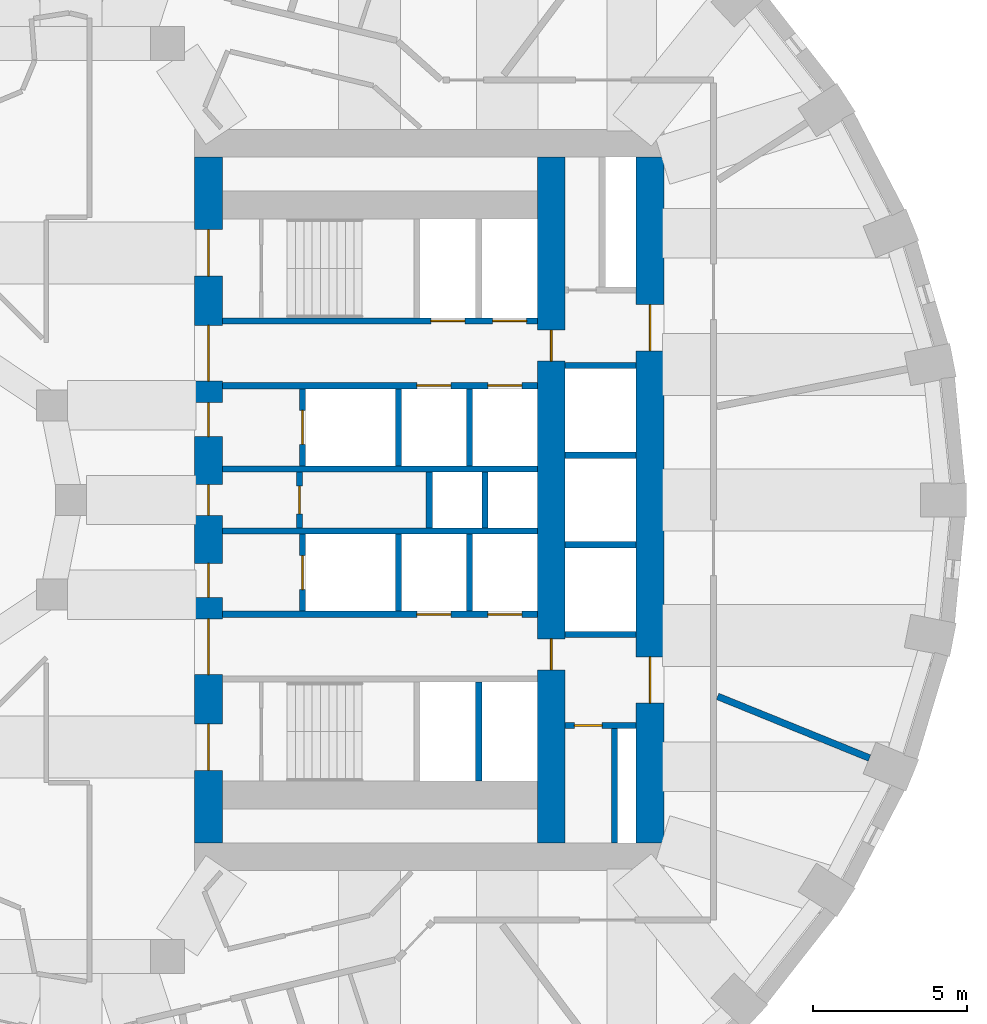
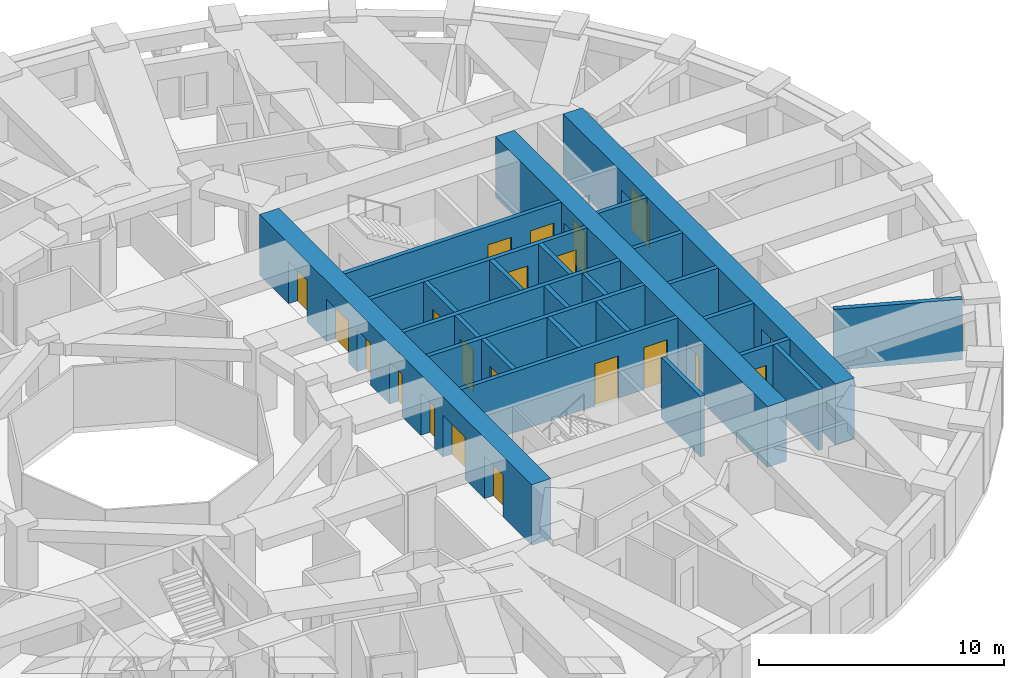
# One storey, part 6 of 14: 25 walls, 21 doors, 21 openings.
"""IFC4 building model written with IfcOpenShell, lengths in metres."""

import ifcopenshell
import ifcopenshell.guid

model = None  # the IFC model being written
_history = None  # IfcOwnerHistory: only IFC2X3 demands one
_inside = {}  # id of a spatial element -> (the spatial element, [elements in it])
_under = {}  # id of a project, library or spatial element -> (it, [spatial elements below it])
_declared = {}  # id of a project -> (the project, [libraries it declares])
_typed = {}  # id of a type object -> (the type object, [elements of that type])
_made_of = {}  # id of a material, layer set ... -> (it, [elements and type objects made of it])


def new_model(schema):
    """Start an empty IFC model of exactly this schema.

    Asked for "IFC4X3", IfcOpenShell would pick the latest addendum, in which some entities
    have other attributes; the version numbers below select the first issue.
    IFC2X3 requires an IfcOwnerHistory on every rooted entity: one is made here for all.
    """
    global model, _history
    if schema == "IFC4X3":
        model = ifcopenshell.file(schema_version=(4, 3, 0, 0))
    else:
        model = ifcopenshell.file(schema=schema)
    _inside.clear()
    _under.clear()
    _declared.clear()
    _typed.clear()
    _made_of.clear()
    _history = None
    if model.schema == "IFC2X3":
        org = make("IfcOrganization", Name="unknown")
        user = make(
            "IfcPersonAndOrganization",
            ThePerson=make("IfcPerson", FamilyName="unknown"),
            TheOrganization=org,
        )
        app = make(
            "IfcApplication",
            ApplicationDeveloper=org,
            Version="unknown",
            ApplicationFullName="unknown",
            ApplicationIdentifier="unknown",
        )
        _history = make(
            "IfcOwnerHistory",
            OwningUser=user,
            OwningApplication=app,
            ChangeAction="ADDED",
            CreationDate=0,
        )
    return model


def make(cls, **values):
    """One entity of the class cls with the attributes given. An attribute that is None is left unset."""
    return model.create_entity(
        cls, **{name: value for name, value in values.items() if value is not None}
    )


def rooted(cls, **values):
    """An entity with a GlobalId (a new one), such as an element, a storey or a relation."""
    return make(cls, GlobalId=ifcopenshell.guid.new(), OwnerHistory=_history, **values)


def si_unit(unit_type, name, prefix=None):
    """IfcSIUnit, for example si_unit("LENGTHUNIT", "METRE", prefix="MILLI")."""
    return make("IfcSIUnit", UnitType=unit_type, Prefix=prefix, Name=name)


def assignment(units):
    """IfcUnitAssignment: the units of a project."""
    return None if units is None else make("IfcUnitAssignment", Units=units)


def point(xyz):
    """IfcCartesianPoint."""
    return None if xyz is None else make("IfcCartesianPoint", Coordinates=xyz)


def direction(xyz):
    """IfcDirection."""
    return None if xyz is None else make("IfcDirection", DirectionRatios=xyz)


def frame(location, z_axis=None, x_axis=None):
    """IfcAxis2Placement3D, a coordinate frame: its origin and axes. An axis left out is left unset."""
    return make(
        "IfcAxis2Placement3D",
        Location=point(location),
        Axis=direction(z_axis),
        RefDirection=direction(x_axis),
    )


def frame_2d(location, x_axis=None):
    """IfcAxis2Placement2D, a coordinate frame in the plane: its origin and x axis."""
    return make(
        "IfcAxis2Placement2D", Location=point(location), RefDirection=direction(x_axis)
    )


def origin():
    """The frame at (0, 0, 0) with its axes left unset."""
    return frame((0.0, 0.0, 0.0))


def place(relative_to, where):
    """IfcLocalPlacement: puts the frame where relative to a parent placement (None: the world)."""
    return make(
        "IfcLocalPlacement", PlacementRelTo=relative_to, RelativePlacement=where
    )


def context(
    kind, dimensions, precision=None, world=None, true_north=None, identifier=None
):
    """IfcGeometricRepresentationContext, for example the 3D "Model" context."""
    return make(
        "IfcGeometricRepresentationContext",
        ContextIdentifier=identifier,
        ContextType=kind,
        CoordinateSpaceDimension=dimensions,
        Precision=precision,
        WorldCoordinateSystem=world,
        TrueNorth=true_north,
    )


def subcontext(parent, identifier, kind, view, scale=None):
    """IfcGeometricRepresentationSubContext, for example "Body" below "Model"."""
    return make(
        "IfcGeometricRepresentationSubContext",
        ContextIdentifier=identifier,
        ContextType=kind,
        ParentContext=parent,
        TargetScale=scale,
        TargetView=view,
    )


def project(units=None, contexts=None):
    """IfcProject with its units and contexts."""
    return rooted(
        "IfcProject",
        Name="project",
        RepresentationContexts=contexts,
        UnitsInContext=assignment(units),
    )


def spatial(cls, under=None, at=None, **own):
    """A site, building, storey or space (cls), placed at a placement, below another one or the project."""
    s = rooted(cls, ObjectPlacement=at, **own)
    if under is not None:
        _under.setdefault(under.id(), (under, []))[1].append(s)
    return s


def profile(cls, at=None, kind="AREA", **sizes):
    """A parametric profile (cls). Its sizes go by their IFC names, for example OverallWidth=200.0."""
    return make(cls, ProfileType=kind, Position=at, **sizes)


def rectangle(**sizes):
    """IfcRectangleProfileDef."""
    return profile("IfcRectangleProfileDef", **sizes)


def extrude(swept, where, along, depth):
    """IfcExtrudedAreaSolid: the profile swept, set in the frame where, extruded along a direction by depth."""
    return make(
        "IfcExtrudedAreaSolid",
        SweptArea=swept,
        Position=where,
        ExtrudedDirection=direction(along),
        Depth=depth,
    )


def shape(context_of_items, identifier, shape_type, items):
    """IfcShapeRepresentation: the items that make up one representation, for example the "Body"."""
    return make(
        "IfcShapeRepresentation",
        ContextOfItems=context_of_items,
        RepresentationIdentifier=identifier,
        RepresentationType=shape_type,
        Items=items,
    )


def material(Name=None, Category=None):
    """IfcMaterial."""
    return make("IfcMaterial", Name=Name, Category=Category)


def layer(
    of_material, thickness, ventilated=None, Name=None, Category=None, Priority=None
):
    """IfcMaterialLayer: one layer of a wall or slab, of a material (None: an air gap)."""
    return make(
        "IfcMaterialLayer",
        Material=of_material,
        LayerThickness=thickness,
        IsVentilated=ventilated,
        Name=Name,
        Category=Category,
        Priority=Priority,
    )


def layer_set(layers, Name=None):
    """IfcMaterialLayerSet."""
    return make("IfcMaterialLayerSet", MaterialLayers=layers, LayerSetName=Name)


def made_of(thing, what):
    """Note that an element or type object is made of a material, layer set ...; save() writes the relation."""
    if what is not None:
        _made_of.setdefault(what.id(), (what, []))[1].append(thing)
    return thing


def type_object(cls, material=None, **own):
    """A type object (cls), such as IfcWallType, which elements share."""
    return made_of(rooted(cls, **own), material)


def element(
    cls,
    number,
    at=None,
    inside=None,
    cuts=None,
    type_object=None,
    material=None,
    context=None,
    identifier="Body",
    shape_type=None,
    held_by="IfcProductDefinitionShape",
    body=None,
    shapes=None,
    **own,
):
    """One element of the class cls, such as IfcWall. Its Tag is "e" and its number.

    at: its placement. inside: the storey or other place that contains it. cuts: it is an
    opening in that element (IfcRelVoidsElement). A single representation is given by context,
    identifier, shape_type and body (its items); several are given by shapes. held_by: the class
    of the entity that holds the representations. save() writes the other relations.
    """
    e = rooted(cls, Tag="e%d" % number, ObjectPlacement=at, **own)
    if body is not None:
        shapes = [shape(context, identifier, shape_type, body)]
    if shapes is not None:
        e.Representation = make(held_by, Representations=shapes)
    if inside is not None:
        _inside.setdefault(inside.id(), (inside, []))[1].append(e)
    if cuts is not None:
        rooted(
            "IfcRelVoidsElement", RelatingBuildingElement=cuts, RelatedOpeningElement=e
        )
    if type_object is not None:
        _typed.setdefault(type_object.id(), (type_object, []))[1].append(e)
    return made_of(e, material)


def fill(opening, filler):
    """IfcRelFillsElement: the door or window that sits in an opening."""
    return rooted(
        "IfcRelFillsElement",
        RelatingOpeningElement=opening,
        RelatedBuildingElement=filler,
    )


def aggregate(whole, parts):
    """IfcRelAggregates: a whole, such as a stair, and the parts it consists of."""
    return rooted("IfcRelAggregates", RelatingObject=whole, RelatedObjects=parts)


def save(model, path):
    """Write the relations noted so far, then the file.

    IfcRelAggregates (storeys below a building ...), IfcRelContainedInSpatialStructure (elements
    in a storey), IfcRelDefinesByType, IfcRelAssociatesMaterial and IfcRelDeclares: one each for
    every whole, place, type object, material and project.
    """
    for whole, parts in _under.values():
        aggregate(whole, parts)
    for where, things in _inside.values():
        rooted(
            "IfcRelContainedInSpatialStructure",
            RelatedElements=things,
            RelatingStructure=where,
        )
    for kind, things in _typed.values():
        rooted("IfcRelDefinesByType", RelatedObjects=things, RelatingType=kind)
    for what, things in _made_of.values():
        rooted("IfcRelAssociatesMaterial", RelatedObjects=things, RelatingMaterial=what)
    for by, libraries in _declared.values():
        rooted("IfcRelDeclares", RelatingContext=by, RelatedDefinitions=libraries)
    model.write(path)


model = new_model("IFC4")

# Units and contexts
model_context = context("Model", 3, precision=1e-05, world=origin(), true_north=direction((0.0, 1.0)))
body_context = subcontext(model_context, "Body", "Model", "MODEL_VIEW")
ifc_project = project(units=[si_unit("LENGTHUNIT", "METRE"), si_unit("AREAUNIT", "SQUARE_METRE"), si_unit("VOLUMEUNIT", "CUBIC_METRE"), si_unit("PLANEANGLEUNIT", "RADIAN"), si_unit("MASSUNIT", "GRAM", prefix="KILO")], contexts=[model_context])

# Site, building, storey
site_placement = place(None, origin())
site = spatial("IfcSite", under=ifc_project, at=site_placement, CompositionType="ELEMENT")
building_placement = place(site_placement, origin())
building = spatial("IfcBuilding", under=site, at=building_placement, Name="Taillehof Tower", CompositionType="ELEMENT")
storey_placement = place(building_placement, frame((0.0, 0.0, 21.699951171875)))
storey = spatial("IfcBuildingStorey", under=building, at=storey_placement, Name="L04", CompositionType="ELEMENT", Elevation=21.699951171875)

# Wall, opening, door
ifc_material_1 = material(Name="Calcium silicate masonry", Category="masonry")
ifc_layer_1 = layer(ifc_material_1, 0.199951171875)
ifc_layer_set_1 = layer_set([ifc_layer_1], Name="Compartment wall calcium silicate 200")
wall_type_1 = type_object("IfcWallType", Name="Compartment wall calcium silicate 200", PredefinedType="PARTITIONING", material=ifc_layer_set_1)
wall_1_placement = place(storey_placement, frame((7.39990234375, -0.89990234375, 0.0), z_axis=(0.0, 0.0, 1.0), x_axis=(0.0, 1.0, 0.0)))
wall_1 = element("IfcWall", 1, at=wall_1_placement, inside=storey, type_object=wall_type_1, Name="Compartment wall FW", PredefinedType="PARTITIONING", context=body_context, shape_type="SweptSolid", body=[
    extrude(rectangle(XDim=1.7998046875, YDim=0.199951171875, at=frame_2d((0.89990234375, 0.0))), origin(), (0.0, 0.0, 1.0), 3.02001953125),
])
opening_1_placement = place(wall_1_placement, frame((0.449951171875, 0.0, 0.0)))
opening_1 = element("IfcOpeningElement", 2, at=opening_1_placement, cuts=wall_1, Name="Opening D0414", PredefinedType="OPENING", context=body_context, shape_type="SweptSolid", body=[
    extrude(rectangle(XDim=0.89990234375, YDim=2.10009765625, at=frame_2d((0.449951171875, 1.050048828125))), frame((0.0, 0.10986328125, 0.0), z_axis=(0.0, -1.0, 0.0), x_axis=(1.0, 0.0, 0.0)), (0.0, 0.0, 1.0), 0.219970703125),
])
ifc_material_2 = material(Name="Steel-faced fire door", Category="steel")
door_type_1 = type_object("IfcDoorType", Name="Riser and service room door 900x2100", OperationType="SINGLE_SWING_LEFT", PredefinedType="DOOR", material=ifc_material_2)
door_1_placement = place(opening_1_placement, origin())
door_1 = element("IfcDoor", 3, at=door_1_placement, inside=storey, type_object=door_type_1, Name="Door Fire Safety Store", OperationType="SINGLE_SWING_RIGHT", OverallHeight=2.10009765625, OverallWidth=0.89990234375, PredefinedType="DOOR", context=body_context, shape_type="SweptSolid", body=[
    extrude(rectangle(XDim=0.89990234375, YDim=2.10009765625, at=frame_2d((0.449951171875, 1.050048828125))), frame((0.0, 0.02490234375, 0.0), z_axis=(0.0, -1.0, 0.0), x_axis=(1.0, 0.0, 0.0)), (0.0, 0.0, 1.0), 0.050048828125),
])
fill(opening_1, door_1)

# Walls
for number, where, z_axis, x_axis, name in (
    (4, (11.60009765625, -0.89990234375, 0.0), (0.0, 0.0, 1.0), (0.0, 1.0, 0.0), "Compartment wall FW"),
    (5, (13.39990234375, -0.89990234375, 0.0), (0.0, 0.0, 1.0), (0.0, 1.0, 0.0), "Compartment wall FW"),
):
    element("IfcWall", number, at=place(storey_placement, frame(where, z_axis=z_axis, x_axis=x_axis)), inside=storey, type_object=wall_type_1, Name=name, PredefinedType="PARTITIONING", context=body_context, shape_type="SweptSolid", body=[
        extrude(rectangle(XDim=1.7998046875, YDim=0.199951171875, at=frame_2d((0.89990234375, 0.0))), origin(), (0.0, 0.0, 1.0), 3.02001953125),
    ])

# Wall, opening, door
wall_2_placement = place(storey_placement, frame((16.0, -7.300048828125, 0.0), z_axis=(0.0, 0.0, 1.0), x_axis=(1.0, 0.0, 0.0)))
wall_2 = element("IfcWall", 6, at=wall_2_placement, inside=storey, type_object=wall_type_1, Name="Compartment wall FW", PredefinedType="PARTITIONING", context=body_context, shape_type="SweptSolid", body=[
    extrude(rectangle(XDim=2.300048828125, YDim=0.199951171875, at=frame_2d((1.14990234375, 0.0))), origin(), (0.0, 0.0, 1.0), 3.02001953125),
])
opening_2_placement = place(wall_2_placement, frame((0.300048828125, 0.0, 0.0)))
opening_2 = element("IfcOpeningElement", 7, at=opening_2_placement, cuts=wall_2, Name="Opening D0418", PredefinedType="OPENING", context=body_context, shape_type="SweptSolid", body=[
    extrude(rectangle(XDim=0.89990234375, YDim=2.10009765625, at=frame_2d((0.449951171875, 1.050048828125))), frame((0.0, 0.10986328125, 0.0), z_axis=(0.0, -1.0, 0.0), x_axis=(1.0, 0.0, 0.0)), (0.0, 0.0, 1.0), 0.219970703125),
])
door_2_placement = place(opening_2_placement, origin())
door_2 = element("IfcDoor", 8, at=door_2_placement, inside=storey, type_object=door_type_1, Name="Door Housekeeping Store", OperationType="SINGLE_SWING_LEFT", OverallHeight=2.10009765625, OverallWidth=0.89990234375, PredefinedType="DOOR", context=body_context, shape_type="SweptSolid", body=[
    extrude(rectangle(XDim=0.89990234375, YDim=2.10009765625, at=frame_2d((0.449951171875, 1.050048828125))), frame((0.0, 0.02490234375, 0.0), z_axis=(0.0, -1.0, 0.0), x_axis=(1.0, 0.0, 0.0)), (0.0, 0.0, 1.0), 0.050048828125),
])
fill(opening_2, door_2)

# Walls
wall_3_placement = place(storey_placement, frame((17.60009765625, -11.10009765625, 0.0), z_axis=(0.0, 0.0, 1.0), x_axis=(0.0, 1.0, 0.0)))
element("IfcWall", 9, at=wall_3_placement, inside=storey, type_object=wall_type_1, Name="Compartment wall FW", PredefinedType="PARTITIONING", context=body_context, shape_type="SweptSolid", body=[
    extrude(rectangle(XDim=3.7001953125, YDim=0.199951171875, at=frame_2d((1.85009765625, 0.0))), origin(), (0.0, 0.0, 1.0), 3.02001953125),
])
ifc_material_3 = material(Name="Gypsum board on double steel studs with mineral wool", Category="steel")
ifc_layer_2 = layer(ifc_material_3, 0.219970703125)
ifc_layer_set_2 = layer_set([ifc_layer_2], Name="Compartment wall guest room 220")
wall_type_2 = type_object("IfcWallType", Name="Compartment wall guest room 220", PredefinedType="PARTITIONING", material=ifc_layer_set_2)
wall_4_placement = place(storey_placement, frame((25.851318359375, -8.35400390625, 0.0), z_axis=(0.0, 0.0, 1.0), x_axis=(-0.926546814299, 0.376179479653, 0.0)))
element("IfcWall", 10, at=wall_4_placement, inside=storey, type_object=wall_type_2, Name="Compartment wall", PredefinedType="PARTITIONING", context=body_context, shape_type="SweptSolid", body=[
    extrude(rectangle(XDim=5.3037109375, YDim=0.219970703125, at=frame_2d((2.65185546875, 0.0))), origin(), (0.0, 0.0, 1.0), 3.02001953125),
])

# Wall, openings, doors
ifc_material_4 = material(Name="Concrete C80/95", Category="concrete")
ifc_layer_3 = layer(ifc_material_4, 0.89990234375)
ifc_layer_set_3 = layer_set([ifc_layer_3], Name="Core wall C80/95 900")
wall_type_3 = type_object("IfcWallType", Name="Core wall C80/95 900", PredefinedType="SHEAR", material=ifc_layer_set_3)
wall_5_placement = place(storey_placement, frame((4.449951171875, -11.10009765625, 0.0), z_axis=(0.0, 0.0, 1.0), x_axis=(0.0, 1.0, 0.0)))
wall_5 = element("IfcWall", 11, at=wall_5_placement, inside=storey, type_object=wall_type_3, Name="Core wall CW01", PredefinedType="SHEAR", context=body_context, shape_type="SweptSolid", body=[
    extrude(rectangle(XDim=22.2001953125, YDim=0.89990234375, at=frame_2d((11.10009765625, 0.0))), origin(), (0.0, 0.0, 1.0), 3.02001953125),
])
opening_3_placement = place(wall_5_placement, frame((2.35009765625, 0.0, 0.0)))
opening_3 = element("IfcOpeningElement", 12, at=opening_3_placement, cuts=wall_5, Name="Opening D0401", PredefinedType="OPENING", context=body_context, shape_type="SweptSolid", body=[
    extrude(rectangle(XDim=1.5, YDim=2.10009765625, at=frame_2d((0.75, 1.050048828125))), frame((0.0, 0.4599609375, 0.0), z_axis=(0.0, -1.0, 0.0), x_axis=(1.0, 0.0, 0.0)), (0.0, 0.0, 1.0), 0.919921875),
])
opening_4_placement = place(wall_5_placement, frame((5.449951171875, 0.0, 0.0)))
opening_4 = element("IfcOpeningElement", 13, at=opening_4_placement, cuts=wall_5, Name="Opening D0402", PredefinedType="OPENING", context=body_context, shape_type="SweptSolid", body=[
    extrude(rectangle(XDim=1.800048828125, YDim=2.10009765625, at=frame_2d((0.89990234375, 1.050048828125))), frame((0.0, 0.4599609375, 0.0), z_axis=(0.0, -1.0, 0.0), x_axis=(1.0, 0.0, 0.0)), (0.0, 0.0, 1.0), 0.919921875),
])
opening_5_placement = place(wall_5_placement, frame((7.949951171875, 0.0, 0.0)))
opening_5 = element("IfcOpeningElement", 14, at=opening_5_placement, cuts=wall_5, Name="Opening D0403", PredefinedType="OPENING", context=body_context, shape_type="SweptSolid", body=[
    extrude(rectangle(XDim=1.10009765625, YDim=2.10009765625, at=frame_2d((0.550048828125, 1.050048828125))), frame((0.0, 0.4599609375, 0.0), z_axis=(0.0, -1.0, 0.0), x_axis=(1.0, 0.0, 0.0)), (0.0, 0.0, 1.0), 0.919921875),
])
opening_6_placement = place(wall_5_placement, frame((10.60009765625, 0.0, 0.0)))
opening_6 = element("IfcOpeningElement", 15, at=opening_6_placement, cuts=wall_5, Name="Opening D0404", PredefinedType="OPENING", context=body_context, shape_type="SweptSolid", body=[
    extrude(rectangle(XDim=1.0, YDim=2.10009765625, at=frame_2d((0.5, 1.050048828125))), frame((0.0, 0.4599609375, 0.0), z_axis=(0.0, -1.0, 0.0), x_axis=(1.0, 0.0, 0.0)), (0.0, 0.0, 1.0), 0.919921875),
])
opening_7_placement = place(wall_5_placement, frame((13.14990234375, 0.0, 0.0)))
opening_7 = element("IfcOpeningElement", 16, at=opening_7_placement, cuts=wall_5, Name="Opening D0405", PredefinedType="OPENING", context=body_context, shape_type="SweptSolid", body=[
    extrude(rectangle(XDim=1.10009765625, YDim=2.10009765625, at=frame_2d((0.550048828125, 1.050048828125))), frame((0.0, 0.4599609375, 0.0), z_axis=(0.0, -1.0, 0.0), x_axis=(1.0, 0.0, 0.0)), (0.0, 0.0, 1.0), 0.919921875),
])
opening_8_placement = place(wall_5_placement, frame((14.949951171875, 0.0, 0.0)))
opening_8 = element("IfcOpeningElement", 17, at=opening_8_placement, cuts=wall_5, Name="Opening D0406", PredefinedType="OPENING", context=body_context, shape_type="SweptSolid", body=[
    extrude(rectangle(XDim=1.800048828125, YDim=2.10009765625, at=frame_2d((0.89990234375, 1.050048828125))), frame((0.0, 0.4599609375, 0.0), z_axis=(0.0, -1.0, 0.0), x_axis=(1.0, 0.0, 0.0)), (0.0, 0.0, 1.0), 0.919921875),
])
opening_9_placement = place(wall_5_placement, frame((18.35009765625, 0.0, 0.0)))
opening_9 = element("IfcOpeningElement", 18, at=opening_9_placement, cuts=wall_5, Name="Opening D0407", PredefinedType="OPENING", context=body_context, shape_type="SweptSolid", body=[
    extrude(rectangle(XDim=1.5, YDim=2.10009765625, at=frame_2d((0.75, 1.050048828125))), frame((0.0, 0.4599609375, 0.0), z_axis=(0.0, -1.0, 0.0), x_axis=(1.0, 0.0, 0.0)), (0.0, 0.0, 1.0), 0.919921875),
])
ifc_material_5 = material(Name="Steel-faced fire door", Category="steel")
door_type_2 = type_object("IfcDoorType", Name="Firefighting lobby door 1100x2100", OperationType="SINGLE_SWING_RIGHT", PredefinedType="DOOR", material=ifc_material_5)
door_3_placement = place(opening_5_placement, origin())
door_3 = element("IfcDoor", 19, at=door_3_placement, inside=storey, type_object=door_type_2, Name="Firefighting lobby door FFL-S", OperationType="SINGLE_SWING_RIGHT", OverallHeight=2.10009765625, OverallWidth=1.10009765625, PredefinedType="DOOR", context=body_context, shape_type="SweptSolid", body=[
    extrude(rectangle(XDim=1.10009765625, YDim=2.10009765625, at=frame_2d((0.550048828125, 1.050048828125))), frame((0.0, 0.02490234375, 0.0), z_axis=(0.0, -1.0, 0.0), x_axis=(1.0, 0.0, 0.0)), (0.0, 0.0, 1.0), 0.050048828125),
])
fill(opening_5, door_3)
door_4_placement = place(opening_7_placement, origin())
door_4 = element("IfcDoor", 20, at=door_4_placement, inside=storey, type_object=door_type_2, Name="Firefighting lobby door FFL-N", OperationType="SINGLE_SWING_LEFT", OverallHeight=2.10009765625, OverallWidth=1.10009765625, PredefinedType="DOOR", context=body_context, shape_type="SweptSolid", body=[
    extrude(rectangle(XDim=1.10009765625, YDim=2.10009765625, at=frame_2d((0.550048828125, 1.050048828125))), frame((0.0, 0.02490234375, 0.0), z_axis=(0.0, -1.0, 0.0), x_axis=(1.0, 0.0, 0.0)), (0.0, 0.0, 1.0), 0.050048828125),
])
fill(opening_7, door_4)
ifc_material_6 = material(Name="Steel-faced fire door", Category="steel")
door_type_3 = type_object("IfcDoorType", Name="Lift lobby door 1800x2100", OperationType="DOUBLE_DOOR_SINGLE_SWING", PredefinedType="DOOR", material=ifc_material_6)
door_5_placement = place(opening_4_placement, origin())
door_5 = element("IfcDoor", 21, at=door_5_placement, inside=storey, type_object=door_type_3, Name="Lift lobby door LL-S", OperationType="DOUBLE_DOOR_SINGLE_SWING", OverallHeight=2.10009765625, OverallWidth=1.800048828125, PredefinedType="DOOR", context=body_context, shape_type="SweptSolid", body=[
    extrude(rectangle(XDim=1.800048828125, YDim=2.10009765625, at=frame_2d((0.89990234375, 1.050048828125))), frame((0.0, 0.02490234375, 0.0), z_axis=(0.0, -1.0, 0.0), x_axis=(1.0, 0.0, 0.0)), (0.0, 0.0, 1.0), 0.050048828125),
])
fill(opening_4, door_5)
door_6_placement = place(opening_8_placement, origin())
door_6 = element("IfcDoor", 22, at=door_6_placement, inside=storey, type_object=door_type_3, Name="Lift lobby door LL-N", OperationType="DOUBLE_DOOR_SINGLE_SWING", OverallHeight=2.10009765625, OverallWidth=1.800048828125, PredefinedType="DOOR", context=body_context, shape_type="SweptSolid", body=[
    extrude(rectangle(XDim=1.800048828125, YDim=2.10009765625, at=frame_2d((0.89990234375, 1.050048828125))), frame((0.0, 0.02490234375, 0.0), z_axis=(0.0, -1.0, 0.0), x_axis=(1.0, 0.0, 0.0)), (0.0, 0.0, 1.0), 0.050048828125),
])
fill(opening_8, door_6)
ifc_material_7 = material(Name="Steel-faced fire door", Category="steel")
door_type_4 = type_object("IfcDoorType", Name="Service door 1000x2100", OperationType="SINGLE_SWING_RIGHT", PredefinedType="DOOR", material=ifc_material_7)
door_7_placement = place(opening_6_placement, origin())
door_7 = element("IfcDoor", 23, at=door_7_placement, inside=storey, type_object=door_type_4, Name="Service door SV", OperationType="SINGLE_SWING_RIGHT", OverallHeight=2.10009765625, OverallWidth=1.0, PredefinedType="DOOR", context=body_context, shape_type="SweptSolid", body=[
    extrude(rectangle(XDim=1.0, YDim=2.10009765625, at=frame_2d((0.5, 1.050048828125))), frame((0.0, 0.02490234375, 0.0), z_axis=(0.0, -1.0, 0.0), x_axis=(1.0, 0.0, 0.0)), (0.0, 0.0, 1.0), 0.050048828125),
])
fill(opening_6, door_7)
ifc_material_8 = material(Name="Steel-faced fire door", Category="steel")
door_type_5 = type_object("IfcDoorType", Name="Stair door 1500x2100", OperationType="DOUBLE_DOOR_SINGLE_SWING", PredefinedType="DOOR", material=ifc_material_8)
door_8_placement = place(opening_3_placement, origin())
door_8 = element("IfcDoor", 24, at=door_8_placement, inside=storey, type_object=door_type_5, Name="Stair door S2", OperationType="DOUBLE_DOOR_SINGLE_SWING", OverallHeight=2.10009765625, OverallWidth=1.5, PredefinedType="DOOR", context=body_context, shape_type="SweptSolid", body=[
    extrude(rectangle(XDim=1.5, YDim=2.10009765625, at=frame_2d((0.75, 1.050048828125))), frame((0.0, 0.02490234375, 0.0), z_axis=(0.0, -1.0, 0.0), x_axis=(1.0, 0.0, 0.0)), (0.0, 0.0, 1.0), 0.050048828125),
])
fill(opening_3, door_8)
door_9_placement = place(opening_9_placement, origin())
door_9 = element("IfcDoor", 25, at=door_9_placement, inside=storey, type_object=door_type_5, Name="Stair door S1", OperationType="DOUBLE_DOOR_SINGLE_SWING", OverallHeight=2.10009765625, OverallWidth=1.5, PredefinedType="DOOR", context=body_context, shape_type="SweptSolid", body=[
    extrude(rectangle(XDim=1.5, YDim=2.10009765625, at=frame_2d((0.75, 1.050048828125))), frame((0.0, 0.02490234375, 0.0), z_axis=(0.0, -1.0, 0.0), x_axis=(1.0, 0.0, 0.0)), (0.0, 0.0, 1.0), 0.050048828125),
])
fill(opening_9, door_9)

wall_6_placement = place(storey_placement, frame((18.75, -11.10009765625, 0.0), z_axis=(0.0, 0.0, 1.0), x_axis=(0.0, 1.0, 0.0)))
wall_6 = element("IfcWall", 26, at=wall_6_placement, inside=storey, type_object=wall_type_3, Name="Core wall CW02", PredefinedType="SHEAR", context=body_context, shape_type="SweptSolid", body=[
    extrude(rectangle(XDim=22.2001953125, YDim=0.89990234375, at=frame_2d((11.10009765625, 0.0))), origin(), (0.0, 0.0, 1.0), 3.02001953125),
])
opening_10_placement = place(wall_6_placement, frame((15.925048828125, 0.0, 0.0)))
opening_10 = element("IfcOpeningElement", 27, at=opening_10_placement, cuts=wall_6, Name="Opening D0408", PredefinedType="OPENING", context=body_context, shape_type="SweptSolid", body=[
    extrude(rectangle(XDim=1.5, YDim=2.10009765625, at=frame_2d((0.75, 1.050048828125))), frame((0.0, 0.4599609375, 0.0), z_axis=(0.0, -1.0, 0.0), x_axis=(1.0, 0.0, 0.0)), (0.0, 0.0, 1.0), 0.919921875),
])
opening_11_placement = place(wall_6_placement, frame((4.52490234375, 0.0, 0.0)))
opening_11 = element("IfcOpeningElement", 28, at=opening_11_placement, cuts=wall_6, Name="Opening D0409", PredefinedType="OPENING", context=body_context, shape_type="SweptSolid", body=[
    extrude(rectangle(XDim=1.5, YDim=2.10009765625, at=frame_2d((0.75, 1.050048828125))), frame((0.0, 0.4599609375, 0.0), z_axis=(0.0, -1.0, 0.0), x_axis=(1.0, 0.0, 0.0)), (0.0, 0.0, 1.0), 0.919921875),
])
ifc_material_9 = material(Name="Steel-faced fire door", Category="steel")
door_type_6 = type_object("IfcDoorType", Name="Lift lobby east door 1500x2100", OperationType="DOUBLE_DOOR_SINGLE_SWING", PredefinedType="DOOR", material=ifc_material_9)
door_10_placement = place(opening_10_placement, origin())
door_10 = element("IfcDoor", 29, at=door_10_placement, inside=storey, type_object=door_type_6, Name="Lift lobby east door north", OperationType="DOUBLE_DOOR_SINGLE_SWING", OverallHeight=2.10009765625, OverallWidth=1.5, PredefinedType="DOOR", context=body_context, shape_type="SweptSolid", body=[
    extrude(rectangle(XDim=1.5, YDim=2.10009765625, at=frame_2d((0.75, 1.050048828125))), frame((0.0, 0.02490234375, 0.0), z_axis=(0.0, -1.0, 0.0), x_axis=(1.0, 0.0, 0.0)), (0.0, 0.0, 1.0), 0.050048828125),
])
fill(opening_10, door_10)
door_11_placement = place(opening_11_placement, origin())
door_11 = element("IfcDoor", 30, at=door_11_placement, inside=storey, type_object=door_type_6, Name="Lift lobby east door south", OperationType="DOUBLE_DOOR_SINGLE_SWING", OverallHeight=2.10009765625, OverallWidth=1.5, PredefinedType="DOOR", context=body_context, shape_type="SweptSolid", body=[
    extrude(rectangle(XDim=1.5, YDim=2.10009765625, at=frame_2d((0.75, 1.050048828125))), frame((0.0, 0.02490234375, 0.0), z_axis=(0.0, -1.0, 0.0), x_axis=(1.0, 0.0, 0.0)), (0.0, 0.0, 1.0), 0.050048828125),
])
fill(opening_11, door_11)

wall_7_placement = place(storey_placement, frame((15.550048828125, -11.10009765625, 0.0), z_axis=(0.0, 0.0, 1.0), x_axis=(0.0, 1.0, 0.0)))
wall_7 = element("IfcWall", 31, at=wall_7_placement, inside=storey, type_object=wall_type_3, Name="Core wall CW05", PredefinedType="SHEAR", context=body_context, shape_type="SweptSolid", body=[
    extrude(rectangle(XDim=22.2001953125, YDim=0.89990234375, at=frame_2d((11.10009765625, 0.0))), origin(), (0.0, 0.0, 1.0), 3.02001953125),
])
opening_12_placement = place(wall_7_placement, frame((15.60009765625, 0.0, 0.0)))
opening_12 = element("IfcOpeningElement", 32, at=opening_12_placement, cuts=wall_7, Name="Opening D0415", PredefinedType="OPENING", context=body_context, shape_type="SweptSolid", body=[
    extrude(rectangle(XDim=1.0, YDim=2.10009765625, at=frame_2d((0.5, 1.050048828125))), frame((0.0, 0.4599609375, 0.0), z_axis=(0.0, -1.0, 0.0), x_axis=(1.0, 0.0, 0.0)), (0.0, 0.0, 1.0), 0.919921875),
])
opening_13_placement = place(wall_7_placement, frame((5.60009765625, 0.0, 0.0)))
opening_13 = element("IfcOpeningElement", 33, at=opening_13_placement, cuts=wall_7, Name="Opening D0417", PredefinedType="OPENING", context=body_context, shape_type="SweptSolid", body=[
    extrude(rectangle(XDim=1.0, YDim=2.10009765625, at=frame_2d((0.5, 1.050048828125))), frame((0.0, 0.4599609375, 0.0), z_axis=(0.0, -1.0, 0.0), x_axis=(1.0, 0.0, 0.0)), (0.0, 0.0, 1.0), 0.919921875),
])
door_12_placement = place(opening_12_placement, origin())
door_12 = element("IfcDoor", 34, at=door_12_placement, inside=storey, type_object=door_type_4, Name="Service door strip", OperationType="SINGLE_SWING_RIGHT", OverallHeight=2.10009765625, OverallWidth=1.0, PredefinedType="DOOR", context=body_context, shape_type="SweptSolid", body=[
    extrude(rectangle(XDim=1.0, YDim=2.10009765625, at=frame_2d((0.5, 1.050048828125))), frame((0.0, 0.02490234375, 0.0), z_axis=(0.0, -1.0, 0.0), x_axis=(1.0, 0.0, 0.0)), (0.0, 0.0, 1.0), 0.050048828125),
])
fill(opening_12, door_12)
door_13_placement = place(opening_13_placement, origin())
door_13 = element("IfcDoor", 35, at=door_13_placement, inside=storey, type_object=door_type_4, Name="Service door strip", OperationType="SINGLE_SWING_LEFT", OverallHeight=2.10009765625, OverallWidth=1.0, PredefinedType="DOOR", context=body_context, shape_type="SweptSolid", body=[
    extrude(rectangle(XDim=1.0, YDim=2.10009765625, at=frame_2d((0.5, 1.050048828125))), frame((0.0, 0.02490234375, 0.0), z_axis=(0.0, -1.0, 0.0), x_axis=(1.0, 0.0, 0.0)), (0.0, 0.0, 1.0), 0.050048828125),
])
fill(opening_13, door_13)

ifc_material_10 = material(Name="Concrete C50/60", Category="concrete")
ifc_layer_4 = layer(ifc_material_10, 0.199951171875)
ifc_layer_set_4 = layer_set([ifc_layer_4], Name="Shaft wall C50/60 200")
wall_type_4 = type_object("IfcWallType", Name="Shaft wall C50/60 200", PredefinedType="SHEAR", material=ifc_layer_set_4)
wall_8_placement = place(storey_placement, frame((4.89990234375, 5.800048828125, 0.0), z_axis=(0.0, 0.0, 1.0), x_axis=(1.0, 0.0, 0.0)))
wall_8 = element("IfcWall", 36, at=wall_8_placement, inside=storey, type_object=wall_type_4, Name="Shaft wall SW", PredefinedType="SHEAR", context=body_context, shape_type="SweptSolid", body=[
    extrude(rectangle(XDim=10.2001953125, YDim=0.199951171875, at=frame_2d((5.10009765625, 0.0))), origin(), (0.0, 0.0, 1.0), 3.02001953125),
])
opening_14_placement = place(wall_8_placement, frame((6.75, 0.0, 0.0)))
opening_14 = element("IfcOpeningElement", 37, at=opening_14_placement, cuts=wall_8, Name="Opening LD1", PredefinedType="OPENING", context=body_context, shape_type="SweptSolid", body=[
    extrude(rectangle(XDim=1.10009765625, YDim=2.10009765625, at=frame_2d((0.550048828125, 1.050048828125))), frame((0.0, 0.10986328125, 0.0), z_axis=(0.0, -1.0, 0.0), x_axis=(1.0, 0.0, 0.0)), (0.0, 0.0, 1.0), 0.219970703125),
])
opening_15_placement = place(wall_8_placement, frame((8.75, 0.0, 0.0)))
opening_15 = element("IfcOpeningElement", 38, at=opening_15_placement, cuts=wall_8, Name="Opening LD1", PredefinedType="OPENING", context=body_context, shape_type="SweptSolid", body=[
    extrude(rectangle(XDim=1.10009765625, YDim=2.10009765625, at=frame_2d((0.550048828125, 1.050048828125))), frame((0.0, 0.10986328125, 0.0), z_axis=(0.0, -1.0, 0.0), x_axis=(1.0, 0.0, 0.0)), (0.0, 0.0, 1.0), 0.219970703125),
])
ifc_material_11 = material(Name="Stainless steel", Category="steel")
door_type_7 = type_object("IfcDoorType", Name="Lift landing door LD1 1100x2100", OperationType="DOUBLE_DOOR_SLIDING", PredefinedType="DOOR", material=ifc_material_11)
door_14_placement = place(opening_14_placement, origin())
door_14 = element("IfcDoor", 39, at=door_14_placement, inside=storey, type_object=door_type_7, Name="Landing door LR1", OperationType="DOUBLE_DOOR_SLIDING", OverallHeight=2.10009765625, OverallWidth=1.10009765625, PredefinedType="DOOR", context=body_context, shape_type="SweptSolid", body=[
    extrude(rectangle(XDim=1.10009765625, YDim=2.10009765625, at=frame_2d((0.550048828125, 1.050048828125))), frame((0.0, 0.02490234375, 0.0), z_axis=(0.0, -1.0, 0.0), x_axis=(1.0, 0.0, 0.0)), (0.0, 0.0, 1.0), 0.050048828125),
])
fill(opening_14, door_14)
door_15_placement = place(opening_15_placement, origin())
door_15 = element("IfcDoor", 40, at=door_15_placement, inside=storey, type_object=door_type_7, Name="Landing door LR2", OperationType="DOUBLE_DOOR_SLIDING", OverallHeight=2.10009765625, OverallWidth=1.10009765625, PredefinedType="DOOR", context=body_context, shape_type="SweptSolid", body=[
    extrude(rectangle(XDim=1.10009765625, YDim=2.10009765625, at=frame_2d((0.550048828125, 1.050048828125))), frame((0.0, 0.02490234375, 0.0), z_axis=(0.0, -1.0, 0.0), x_axis=(1.0, 0.0, 0.0)), (0.0, 0.0, 1.0), 0.050048828125),
])
fill(opening_15, door_15)

wall_9_placement = place(storey_placement, frame((4.89990234375, 3.699951171875, 0.0), z_axis=(0.0, 0.0, 1.0), x_axis=(1.0, 0.0, 0.0)))
wall_9 = element("IfcWall", 41, at=wall_9_placement, inside=storey, type_object=wall_type_4, Name="Shaft wall SW", PredefinedType="SHEAR", context=body_context, shape_type="SweptSolid", body=[
    extrude(rectangle(XDim=10.2001953125, YDim=0.199951171875, at=frame_2d((5.10009765625, 0.0))), origin(), (0.0, 0.0, 1.0), 3.02001953125),
])
opening_16_placement = place(wall_9_placement, frame((6.300048828125, 0.0, 0.0)))
opening_16 = element("IfcOpeningElement", 42, at=opening_16_placement, cuts=wall_9, Name="Opening LD1", PredefinedType="OPENING", context=body_context, shape_type="SweptSolid", body=[
    extrude(rectangle(XDim=1.10009765625, YDim=2.10009765625, at=frame_2d((0.550048828125, 1.050048828125))), frame((0.0, 0.10986328125, 0.0), z_axis=(0.0, -1.0, 0.0), x_axis=(1.0, 0.0, 0.0)), (0.0, 0.0, 1.0), 0.219970703125),
])
opening_17_placement = place(wall_9_placement, frame((8.60009765625, 0.0, 0.0)))
opening_17 = element("IfcOpeningElement", 43, at=opening_17_placement, cuts=wall_9, Name="Opening LD1", PredefinedType="OPENING", context=body_context, shape_type="SweptSolid", body=[
    extrude(rectangle(XDim=1.10009765625, YDim=2.10009765625, at=frame_2d((0.550048828125, 1.050048828125))), frame((0.0, 0.10986328125, 0.0), z_axis=(0.0, -1.0, 0.0), x_axis=(1.0, 0.0, 0.0)), (0.0, 0.0, 1.0), 0.219970703125),
])
door_16_placement = place(opening_16_placement, origin())
door_16 = element("IfcDoor", 44, at=door_16_placement, inside=storey, type_object=door_type_7, Name="Landing door LR3", OperationType="DOUBLE_DOOR_SLIDING", OverallHeight=2.10009765625, OverallWidth=1.10009765625, PredefinedType="DOOR", context=body_context, shape_type="SweptSolid", body=[
    extrude(rectangle(XDim=1.10009765625, YDim=2.10009765625, at=frame_2d((0.550048828125, 1.050048828125))), frame((0.0, 0.02490234375, 0.0), z_axis=(0.0, -1.0, 0.0), x_axis=(1.0, 0.0, 0.0)), (0.0, 0.0, 1.0), 0.050048828125),
])
fill(opening_16, door_16)
door_17_placement = place(opening_17_placement, origin())
door_17 = element("IfcDoor", 45, at=door_17_placement, inside=storey, type_object=door_type_7, Name="Landing door LR4", OperationType="DOUBLE_DOOR_SLIDING", OverallHeight=2.10009765625, OverallWidth=1.10009765625, PredefinedType="DOOR", context=body_context, shape_type="SweptSolid", body=[
    extrude(rectangle(XDim=1.10009765625, YDim=2.10009765625, at=frame_2d((0.550048828125, 1.050048828125))), frame((0.0, 0.02490234375, 0.0), z_axis=(0.0, -1.0, 0.0), x_axis=(1.0, 0.0, 0.0)), (0.0, 0.0, 1.0), 0.050048828125),
])
fill(opening_17, door_17)

# Walls
for number, where, z_axis, x_axis, name in (
    (46, (4.89990234375, 1.0, 0.0), (0.0, 0.0, 1.0), (1.0, 0.0, 0.0), "Shaft wall SW"),
    (47, (4.89990234375, -1.0, 0.0), (0.0, 0.0, 1.0), (1.0, 0.0, 0.0), "Shaft wall SW"),
):
    element("IfcWall", number, at=place(storey_placement, frame(where, z_axis=z_axis, x_axis=x_axis)), inside=storey, type_object=wall_type_4, Name=name, PredefinedType="SHEAR", context=body_context, shape_type="SweptSolid", body=[
        extrude(rectangle(XDim=10.2001953125, YDim=0.199951171875, at=frame_2d((5.10009765625, 0.0))), origin(), (0.0, 0.0, 1.0), 3.02001953125),
    ])

# Wall, openings, doors
wall_10_placement = place(storey_placement, frame((4.89990234375, -3.699951171875, 0.0), z_axis=(0.0, 0.0, 1.0), x_axis=(1.0, 0.0, 0.0)))
wall_10 = element("IfcWall", 48, at=wall_10_placement, inside=storey, type_object=wall_type_4, Name="Shaft wall SW", PredefinedType="SHEAR", context=body_context, shape_type="SweptSolid", body=[
    extrude(rectangle(XDim=10.2001953125, YDim=0.199951171875, at=frame_2d((5.10009765625, 0.0))), origin(), (0.0, 0.0, 1.0), 3.02001953125),
])
opening_18_placement = place(wall_10_placement, frame((6.300048828125, 0.0, 0.0)))
opening_18 = element("IfcOpeningElement", 49, at=opening_18_placement, cuts=wall_10, Name="Opening LD1", PredefinedType="OPENING", context=body_context, shape_type="SweptSolid", body=[
    extrude(rectangle(XDim=1.10009765625, YDim=2.10009765625, at=frame_2d((0.550048828125, 1.050048828125))), frame((0.0, 0.10986328125, 0.0), z_axis=(0.0, -1.0, 0.0), x_axis=(1.0, 0.0, 0.0)), (0.0, 0.0, 1.0), 0.219970703125),
])
opening_19_placement = place(wall_10_placement, frame((8.60009765625, 0.0, 0.0)))
opening_19 = element("IfcOpeningElement", 50, at=opening_19_placement, cuts=wall_10, Name="Opening LD1", PredefinedType="OPENING", context=body_context, shape_type="SweptSolid", body=[
    extrude(rectangle(XDim=1.10009765625, YDim=2.10009765625, at=frame_2d((0.550048828125, 1.050048828125))), frame((0.0, 0.10986328125, 0.0), z_axis=(0.0, -1.0, 0.0), x_axis=(1.0, 0.0, 0.0)), (0.0, 0.0, 1.0), 0.219970703125),
])
door_18_placement = place(opening_18_placement, origin())
door_18 = element("IfcDoor", 51, at=door_18_placement, inside=storey, type_object=door_type_7, Name="Landing door LR5", OperationType="DOUBLE_DOOR_SLIDING", OverallHeight=2.10009765625, OverallWidth=1.10009765625, PredefinedType="DOOR", context=body_context, shape_type="SweptSolid", body=[
    extrude(rectangle(XDim=1.10009765625, YDim=2.10009765625, at=frame_2d((0.550048828125, 1.050048828125))), frame((0.0, 0.02490234375, 0.0), z_axis=(0.0, -1.0, 0.0), x_axis=(1.0, 0.0, 0.0)), (0.0, 0.0, 1.0), 0.050048828125),
])
fill(opening_18, door_18)
door_19_placement = place(opening_19_placement, origin())
door_19 = element("IfcDoor", 52, at=door_19_placement, inside=storey, type_object=door_type_7, Name="Landing door LR6", OperationType="DOUBLE_DOOR_SLIDING", OverallHeight=2.10009765625, OverallWidth=1.10009765625, PredefinedType="DOOR", context=body_context, shape_type="SweptSolid", body=[
    extrude(rectangle(XDim=1.10009765625, YDim=2.10009765625, at=frame_2d((0.550048828125, 1.050048828125))), frame((0.0, 0.02490234375, 0.0), z_axis=(0.0, -1.0, 0.0), x_axis=(1.0, 0.0, 0.0)), (0.0, 0.0, 1.0), 0.050048828125),
])
fill(opening_19, door_19)

# Wall
wall_11_placement = place(storey_placement, frame((13.199951171875, -9.10009765625, 0.0), z_axis=(0.0, 0.0, 1.0), x_axis=(0.0, 1.0, 0.0)))
element("IfcWall", 53, at=wall_11_placement, inside=storey, type_object=wall_type_4, Name="Shaft wall SW", PredefinedType="SHEAR", context=body_context, shape_type="SweptSolid", body=[
    extrude(rectangle(XDim=3.2001953125, YDim=0.199951171875, at=frame_2d((1.60009765625, 0.0))), origin(), (0.0, 0.0, 1.0), 3.02001953125),
])

# Wall, opening, door
wall_12_placement = place(storey_placement, frame((7.5, 1.10009765625, 0.0), z_axis=(0.0, 0.0, 1.0), x_axis=(0.0, 1.0, 0.0)))
wall_12 = element("IfcWall", 54, at=wall_12_placement, inside=storey, type_object=wall_type_4, Name="Shaft wall SW", PredefinedType="SHEAR", context=body_context, shape_type="SweptSolid", body=[
    extrude(rectangle(XDim=2.5, YDim=0.199951171875, at=frame_2d((1.25, 0.0))), origin(), (0.0, 0.0, 1.0), 3.02001953125),
])
opening_20_placement = place(wall_12_placement, frame((0.699951171875, 0.0, 0.0)))
opening_20 = element("IfcOpeningElement", 55, at=opening_20_placement, cuts=wall_12, Name="Opening LD1", PredefinedType="OPENING", context=body_context, shape_type="SweptSolid", body=[
    extrude(rectangle(XDim=1.10009765625, YDim=2.10009765625, at=frame_2d((0.550048828125, 1.050048828125))), frame((0.0, 0.10986328125, 0.0), z_axis=(0.0, -1.0, 0.0), x_axis=(1.0, 0.0, 0.0)), (0.0, 0.0, 1.0), 0.219970703125),
])
door_20_placement = place(opening_20_placement, origin())
door_20 = element("IfcDoor", 56, at=door_20_placement, inside=storey, type_object=door_type_7, Name="Landing door FF1", OperationType="DOUBLE_DOOR_SLIDING", OverallHeight=2.10009765625, OverallWidth=1.10009765625, PredefinedType="DOOR", context=body_context, shape_type="SweptSolid", body=[
    extrude(rectangle(XDim=1.10009765625, YDim=2.10009765625, at=frame_2d((0.550048828125, 1.050048828125))), frame((0.0, 0.02490234375, 0.0), z_axis=(0.0, -1.0, 0.0), x_axis=(1.0, 0.0, 0.0)), (0.0, 0.0, 1.0), 0.050048828125),
])
fill(opening_20, door_20)

wall_13_placement = place(storey_placement, frame((7.5, -3.60009765625, 0.0), z_axis=(0.0, 0.0, 1.0), x_axis=(0.0, 1.0, 0.0)))
wall_13 = element("IfcWall", 57, at=wall_13_placement, inside=storey, type_object=wall_type_4, Name="Shaft wall SW", PredefinedType="SHEAR", context=body_context, shape_type="SweptSolid", body=[
    extrude(rectangle(XDim=2.5, YDim=0.199951171875, at=frame_2d((1.25, 0.0))), origin(), (0.0, 0.0, 1.0), 3.02001953125),
])
opening_21_placement = place(wall_13_placement, frame((0.699951171875, 0.0, 0.0)))
opening_21 = element("IfcOpeningElement", 58, at=opening_21_placement, cuts=wall_13, Name="Opening LD1", PredefinedType="OPENING", context=body_context, shape_type="SweptSolid", body=[
    extrude(rectangle(XDim=1.10009765625, YDim=2.10009765625, at=frame_2d((0.550048828125, 1.050048828125))), frame((0.0, 0.10986328125, 0.0), z_axis=(0.0, -1.0, 0.0), x_axis=(1.0, 0.0, 0.0)), (0.0, 0.0, 1.0), 0.219970703125),
])
door_21_placement = place(opening_21_placement, origin())
door_21 = element("IfcDoor", 59, at=door_21_placement, inside=storey, type_object=door_type_7, Name="Landing door FF2", OperationType="DOUBLE_DOOR_SLIDING", OverallHeight=2.10009765625, OverallWidth=1.10009765625, PredefinedType="DOOR", context=body_context, shape_type="SweptSolid", body=[
    extrude(rectangle(XDim=1.10009765625, YDim=2.10009765625, at=frame_2d((0.550048828125, 1.050048828125))), frame((0.0, 0.02490234375, 0.0), z_axis=(0.0, -1.0, 0.0), x_axis=(1.0, 0.0, 0.0)), (0.0, 0.0, 1.0), 0.050048828125),
])
fill(opening_21, door_21)

# Walls
for number, where, z_axis, x_axis, name in (
    (60, (10.60009765625, 1.10009765625, 0.0), (0.0, 0.0, 1.0), (0.0, 1.0, 0.0), "Shaft wall SW"),
    (61, (10.60009765625, -3.60009765625, 0.0), (0.0, 0.0, 1.0), (0.0, 1.0, 0.0), "Shaft wall SW"),
    (62, (12.89990234375, 1.10009765625, 0.0), (0.0, 0.0, 1.0), (0.0, 1.0, 0.0), "Shaft wall SW"),
    (63, (12.89990234375, -3.60009765625, 0.0), (0.0, 0.0, 1.0), (0.0, 1.0, 0.0), "Shaft wall SW"),
):
    element("IfcWall", number, at=place(storey_placement, frame(where, z_axis=z_axis, x_axis=x_axis)), inside=storey, type_object=wall_type_4, Name=name, PredefinedType="SHEAR", context=body_context, shape_type="SweptSolid", body=[
        extrude(rectangle(XDim=2.5, YDim=0.199951171875, at=frame_2d((1.25, 0.0))), origin(), (0.0, 0.0, 1.0), 3.02001953125),
    ])
for number, where, z_axis, x_axis, name in (
    (64, (16.0, -4.35009765625, 0.0), (0.0, 0.0, 1.0), (1.0, 0.0, 0.0), "Shaft wall SW"),
    (65, (16.0, -1.449951171875, 0.0), (0.0, 0.0, 1.0), (1.0, 0.0, 0.0), "Shaft wall SW"),
    (66, (16.0, 1.449951171875, 0.0), (0.0, 0.0, 1.0), (1.0, 0.0, 0.0), "Shaft wall SW"),
    (67, (16.0, 4.35009765625, 0.0), (0.0, 0.0, 1.0), (1.0, 0.0, 0.0), "Shaft wall SW"),
):
    element("IfcWall", number, at=place(storey_placement, frame(where, z_axis=z_axis, x_axis=x_axis)), inside=storey, type_object=wall_type_4, Name=name, PredefinedType="SHEAR", context=body_context, shape_type="SweptSolid", body=[
        extrude(rectangle(XDim=2.300048828125, YDim=0.199951171875, at=frame_2d((1.14990234375, 0.0))), origin(), (0.0, 0.0, 1.0), 3.02001953125),
    ])

save(model, "model.ifc")
